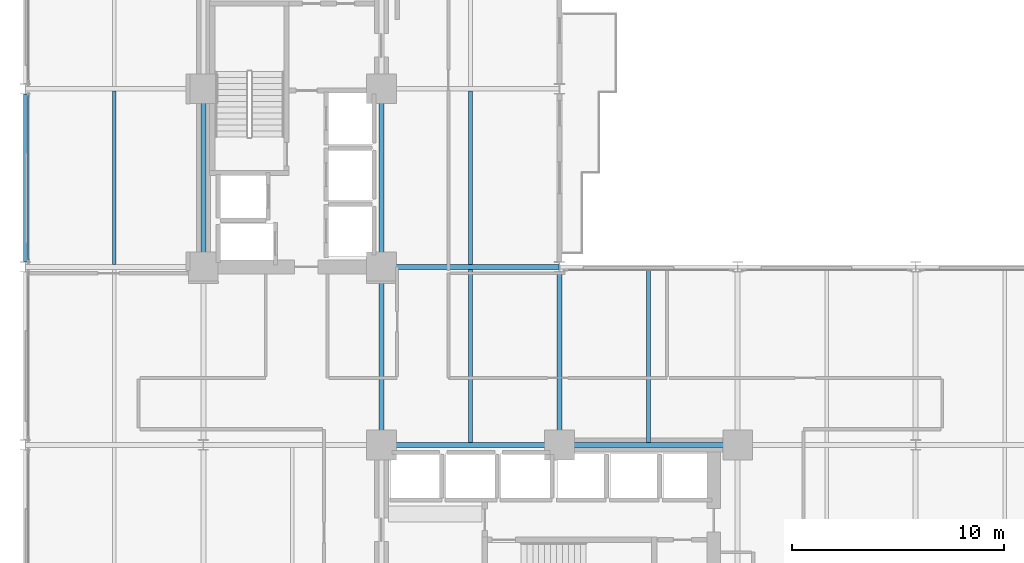
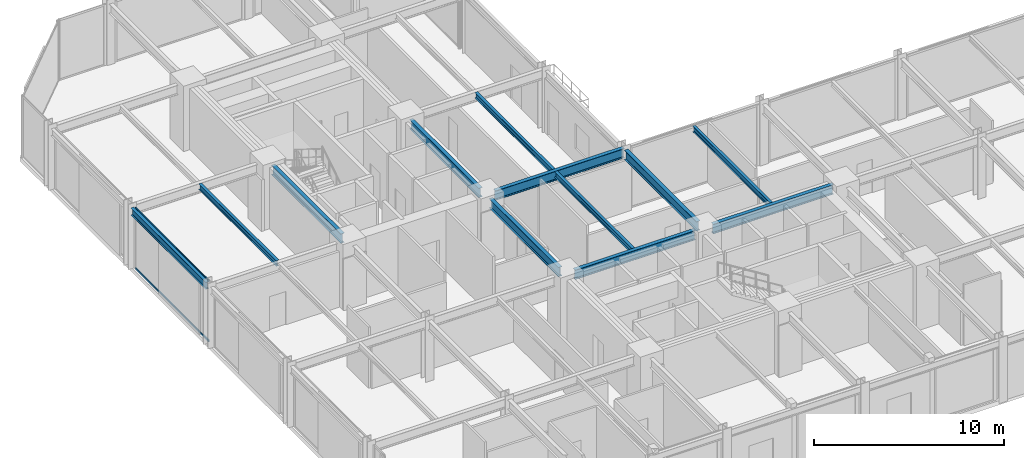
# One storey, part 7 of 24: 12 beams, 2 members, 1 element without a shape of its own.
"""IFC4 building model written with IfcOpenShell, lengths in metres."""

import ifcopenshell
import ifcopenshell.guid

model = None  # the IFC model being written
_history = None  # IfcOwnerHistory: only IFC2X3 demands one
_inside = {}  # id of a spatial element -> (the spatial element, [elements in it])
_under = {}  # id of a project, library or spatial element -> (it, [spatial elements below it])
_declared = {}  # id of a project -> (the project, [libraries it declares])
_typed = {}  # id of a type object -> (the type object, [elements of that type])
_made_of = {}  # id of a material, layer set ... -> (it, [elements and type objects made of it])


def new_model(schema):
    """Start an empty IFC model of exactly this schema.

    Asked for "IFC4X3", IfcOpenShell would pick the latest addendum, in which some entities
    have other attributes; the version numbers below select the first issue.
    IFC2X3 requires an IfcOwnerHistory on every rooted entity: one is made here for all.
    """
    global model, _history
    if schema == "IFC4X3":
        model = ifcopenshell.file(schema_version=(4, 3, 0, 0))
    else:
        model = ifcopenshell.file(schema=schema)
    _inside.clear()
    _under.clear()
    _declared.clear()
    _typed.clear()
    _made_of.clear()
    _history = None
    if model.schema == "IFC2X3":
        org = make("IfcOrganization", Name="unknown")
        user = make(
            "IfcPersonAndOrganization",
            ThePerson=make("IfcPerson", FamilyName="unknown"),
            TheOrganization=org,
        )
        app = make(
            "IfcApplication",
            ApplicationDeveloper=org,
            Version="unknown",
            ApplicationFullName="unknown",
            ApplicationIdentifier="unknown",
        )
        _history = make(
            "IfcOwnerHistory",
            OwningUser=user,
            OwningApplication=app,
            ChangeAction="ADDED",
            CreationDate=0,
        )
    return model


def make(cls, **values):
    """One entity of the class cls with the attributes given. An attribute that is None is left unset."""
    return model.create_entity(
        cls, **{name: value for name, value in values.items() if value is not None}
    )


def rooted(cls, **values):
    """An entity with a GlobalId (a new one), such as an element, a storey or a relation."""
    return make(cls, GlobalId=ifcopenshell.guid.new(), OwnerHistory=_history, **values)


def si_unit(unit_type, name, prefix=None):
    """IfcSIUnit, for example si_unit("LENGTHUNIT", "METRE", prefix="MILLI")."""
    return make("IfcSIUnit", UnitType=unit_type, Prefix=prefix, Name=name)


def assignment(units):
    """IfcUnitAssignment: the units of a project."""
    return None if units is None else make("IfcUnitAssignment", Units=units)


def point(xyz):
    """IfcCartesianPoint."""
    return None if xyz is None else make("IfcCartesianPoint", Coordinates=xyz)


def direction(xyz):
    """IfcDirection."""
    return None if xyz is None else make("IfcDirection", DirectionRatios=xyz)


def frame(location, z_axis=None, x_axis=None):
    """IfcAxis2Placement3D, a coordinate frame: its origin and axes. An axis left out is left unset."""
    return make(
        "IfcAxis2Placement3D",
        Location=point(location),
        Axis=direction(z_axis),
        RefDirection=direction(x_axis),
    )


def frame_2d(location, x_axis=None):
    """IfcAxis2Placement2D, a coordinate frame in the plane: its origin and x axis."""
    return make(
        "IfcAxis2Placement2D", Location=point(location), RefDirection=direction(x_axis)
    )


def origin():
    """The frame at (0, 0, 0) with its axes left unset."""
    return frame((0.0, 0.0, 0.0))


def origin_2d():
    """The frame at (0, 0) in the plane with its x axis left unset."""
    return frame_2d((0.0, 0.0))


def place(relative_to, where):
    """IfcLocalPlacement: puts the frame where relative to a parent placement (None: the world)."""
    return make(
        "IfcLocalPlacement", PlacementRelTo=relative_to, RelativePlacement=where
    )


def context(
    kind, dimensions, precision=None, world=None, true_north=None, identifier=None
):
    """IfcGeometricRepresentationContext, for example the 3D "Model" context."""
    return make(
        "IfcGeometricRepresentationContext",
        ContextIdentifier=identifier,
        ContextType=kind,
        CoordinateSpaceDimension=dimensions,
        Precision=precision,
        WorldCoordinateSystem=world,
        TrueNorth=true_north,
    )


def subcontext(parent, identifier, kind, view, scale=None):
    """IfcGeometricRepresentationSubContext, for example "Body" below "Model"."""
    return make(
        "IfcGeometricRepresentationSubContext",
        ContextIdentifier=identifier,
        ContextType=kind,
        ParentContext=parent,
        TargetScale=scale,
        TargetView=view,
    )


def project(units=None, contexts=None):
    """IfcProject with its units and contexts."""
    return rooted(
        "IfcProject",
        Name="project",
        RepresentationContexts=contexts,
        UnitsInContext=assignment(units),
    )


def spatial(cls, under=None, at=None, **own):
    """A site, building, storey or space (cls), placed at a placement, below another one or the project."""
    s = rooted(cls, ObjectPlacement=at, **own)
    if under is not None:
        _under.setdefault(under.id(), (under, []))[1].append(s)
    return s


def profile(cls, at=None, kind="AREA", **sizes):
    """A parametric profile (cls). Its sizes go by their IFC names, for example OverallWidth=200.0."""
    return make(cls, ProfileType=kind, Position=at, **sizes)


def hollow_rectangle(**sizes):
    """IfcRectangleHollowProfileDef."""
    return profile("IfcRectangleHollowProfileDef", **sizes)


def i_section(**sizes):
    """IfcIShapeProfileDef."""
    return profile("IfcIShapeProfileDef", **sizes)


def extrude(swept, where, along, depth):
    """IfcExtrudedAreaSolid: the profile swept, set in the frame where, extruded along a direction by depth."""
    return make(
        "IfcExtrudedAreaSolid",
        SweptArea=swept,
        Position=where,
        ExtrudedDirection=direction(along),
        Depth=depth,
    )


def shape(context_of_items, identifier, shape_type, items):
    """IfcShapeRepresentation: the items that make up one representation, for example the "Body"."""
    return make(
        "IfcShapeRepresentation",
        ContextOfItems=context_of_items,
        RepresentationIdentifier=identifier,
        RepresentationType=shape_type,
        Items=items,
    )


def material(Name=None, Category=None):
    """IfcMaterial."""
    return make("IfcMaterial", Name=Name, Category=Category)


def layer(
    of_material, thickness, ventilated=None, Name=None, Category=None, Priority=None
):
    """IfcMaterialLayer: one layer of a wall or slab, of a material (None: an air gap)."""
    return make(
        "IfcMaterialLayer",
        Material=of_material,
        LayerThickness=thickness,
        IsVentilated=ventilated,
        Name=Name,
        Category=Category,
        Priority=Priority,
    )


def layer_set(layers, Name=None):
    """IfcMaterialLayerSet."""
    return make("IfcMaterialLayerSet", MaterialLayers=layers, LayerSetName=Name)


def material_profile(
    of_material, cross_section, Name=None, Category=None, Priority=None
):
    """IfcMaterialProfile: a cross section and its material."""
    return make(
        "IfcMaterialProfile",
        Name=Name,
        Material=of_material,
        Profile=cross_section,
        Priority=Priority,
        Category=Category,
    )


def profile_set(profiles, Name=None, composite=None):
    """IfcMaterialProfileSet."""
    return make(
        "IfcMaterialProfileSet",
        Name=Name,
        MaterialProfiles=profiles,
        CompositeProfile=composite,
    )


def made_of(thing, what):
    """Note that an element or type object is made of a material, layer set ...; save() writes the relation."""
    if what is not None:
        _made_of.setdefault(what.id(), (what, []))[1].append(thing)
    return thing


def type_object(cls, material=None, **own):
    """A type object (cls), such as IfcWallType, which elements share."""
    return made_of(rooted(cls, **own), material)


def element(
    cls,
    number,
    at=None,
    inside=None,
    cuts=None,
    type_object=None,
    material=None,
    context=None,
    identifier="Body",
    shape_type=None,
    held_by="IfcProductDefinitionShape",
    body=None,
    shapes=None,
    **own,
):
    """One element of the class cls, such as IfcWall. Its Tag is "e" and its number.

    at: its placement. inside: the storey or other place that contains it. cuts: it is an
    opening in that element (IfcRelVoidsElement). A single representation is given by context,
    identifier, shape_type and body (its items); several are given by shapes. held_by: the class
    of the entity that holds the representations. save() writes the other relations.
    """
    e = rooted(cls, Tag="e%d" % number, ObjectPlacement=at, **own)
    if body is not None:
        shapes = [shape(context, identifier, shape_type, body)]
    if shapes is not None:
        e.Representation = make(held_by, Representations=shapes)
    if inside is not None:
        _inside.setdefault(inside.id(), (inside, []))[1].append(e)
    if cuts is not None:
        rooted(
            "IfcRelVoidsElement", RelatingBuildingElement=cuts, RelatedOpeningElement=e
        )
    if type_object is not None:
        _typed.setdefault(type_object.id(), (type_object, []))[1].append(e)
    return made_of(e, material)


def aggregate(whole, parts):
    """IfcRelAggregates: a whole, such as a stair, and the parts it consists of."""
    return rooted("IfcRelAggregates", RelatingObject=whole, RelatedObjects=parts)


def save(model, path):
    """Write the relations noted so far, then the file.

    IfcRelAggregates (storeys below a building ...), IfcRelContainedInSpatialStructure (elements
    in a storey), IfcRelDefinesByType, IfcRelAssociatesMaterial and IfcRelDeclares: one each for
    every whole, place, type object, material and project.
    """
    for whole, parts in _under.values():
        aggregate(whole, parts)
    for where, things in _inside.values():
        rooted(
            "IfcRelContainedInSpatialStructure",
            RelatedElements=things,
            RelatingStructure=where,
        )
    for kind, things in _typed.values():
        rooted("IfcRelDefinesByType", RelatedObjects=things, RelatingType=kind)
    for what, things in _made_of.values():
        rooted("IfcRelAssociatesMaterial", RelatedObjects=things, RelatingMaterial=what)
    for by, libraries in _declared.values():
        rooted("IfcRelDeclares", RelatingContext=by, RelatedDefinitions=libraries)
    model.write(path)


model = new_model("IFC4")

# Units and contexts
model_context = context("Model", 3, precision=1e-05, world=origin(), true_north=direction((0.0, 1.0)))
body_context = subcontext(model_context, "Body", "Model", "MODEL_VIEW")
ifc_project = project(units=[si_unit("LENGTHUNIT", "METRE"), si_unit("AREAUNIT", "SQUARE_METRE"), si_unit("VOLUMEUNIT", "CUBIC_METRE"), si_unit("PLANEANGLEUNIT", "RADIAN"), si_unit("MASSUNIT", "GRAM", prefix="KILO")], contexts=[model_context])

# Site, building, storey
site_placement = place(None, origin())
site = spatial("IfcSite", under=ifc_project, at=site_placement, CompositionType="ELEMENT")
building_placement = place(site_placement, origin())
building = spatial("IfcBuilding", under=site, at=building_placement, Name="Nerrivon Quay Data Exchange", CompositionType="ELEMENT")
storey_placement = place(building_placement, frame((0.0, 0.0, 37.39990234375)))
storey = spatial("IfcBuildingStorey", under=building, at=storey_placement, Name="L08", CompositionType="ELEMENT", Elevation=37.39990234375)

# Beams
ifc_material_1 = material(Name="Steel Grade 350", Category="steel")
ifc_material_profile_1 = material_profile(ifc_material_1, i_section(OverallWidth=0.22900390625, OverallDepth=0.612060546875, WebThickness=0.011962890625, FlangeThickness=0.01953125, FilletRadius=0.013916015625, at=origin_2d()), Name="610UB125")
ifc_profile_set_1 = profile_set([ifc_material_profile_1], Name="Steel Grade 350")
beam_type_1 = type_object("IfcBeamType", Name="BM-G1-610UB125", PredefinedType="BEAM", material=ifc_profile_set_1)
beam_1_placement = place(storey_placement, frame((17.340087890625, 16.800048828125, 3.619140625), z_axis=(1.0, 0.0, 0.0), x_axis=(0.0, 1.0, 0.0)))
element("IfcBeam", 1, at=beam_1_placement, inside=storey, type_object=beam_type_1, Name="L08 EW Girder Y=16.8 (16.8..25.2)", PredefinedType="BEAM", context=body_context, shape_type="SweptSolid", body=[
    extrude(i_section(OverallWidth=0.22900390625, OverallDepth=0.612060546875, WebThickness=0.011962890625, FlangeThickness=0.01953125, FilletRadius=0.013916015625, at=origin_2d()), origin(), (0.0, 0.0, 1.0), 7.31982421875),
])
beam_2_placement = place(storey_placement, frame((25.739990234375, 16.800048828125, 3.619140625), z_axis=(1.0, 0.0, 0.0), x_axis=(0.0, 1.0, 0.0)))
element("IfcBeam", 2, at=beam_2_placement, inside=storey, type_object=beam_type_1, Name="L08 EW Girder Y=16.8 (25.2..33.6)", PredefinedType="BEAM", context=body_context, shape_type="SweptSolid", body=[
    extrude(i_section(OverallWidth=0.22900390625, OverallDepth=0.612060546875, WebThickness=0.011962890625, FlangeThickness=0.01953125, FilletRadius=0.013916015625, at=origin_2d()), origin(), (0.0, 0.0, 1.0), 7.320068359375),
])
beam_3_placement = place(storey_placement, frame((17.340087890625, 25.199951171875, 3.619140625), z_axis=(1.0, 0.0, 0.0), x_axis=(0.0, 1.0, 0.0)))
element("IfcBeam", 3, at=beam_3_placement, inside=storey, type_object=beam_type_1, Name="L08 EW Girder Y=25.2 (16.8..25.2)", PredefinedType="BEAM", context=body_context, shape_type="SweptSolid", body=[
    extrude(i_section(OverallWidth=0.22900390625, OverallDepth=0.612060546875, WebThickness=0.011962890625, FlangeThickness=0.01953125, FilletRadius=0.013916015625, at=origin_2d()), origin(), (0.0, 0.0, 1.0), 7.845947265625),
])
ifc_material_profile_2 = material_profile(ifc_material_1, i_section(OverallWidth=0.22802734375, OverallDepth=0.60205078125, WebThickness=0.010498046875, FlangeThickness=0.014892578125, FilletRadius=0.013916015625, at=origin_2d()), Name="610UB101")
ifc_profile_set_2 = profile_set([ifc_material_profile_2], Name="Steel Grade 350")
beam_type_2 = type_object("IfcBeamType", Name="BM-G2-610UB101", PredefinedType="BEAM", material=ifc_profile_set_2)
beam_4_placement = place(storey_placement, frame((8.39990234375, 25.739990234375, 3.6240234375), z_axis=(0.0, 1.0, 0.0), x_axis=(-1.0, 0.0, 0.0)))
element("IfcBeam", 4, at=beam_4_placement, inside=storey, type_object=beam_type_2, Name="L08 NS Girder X=8.4 (25.2..33.6)", PredefinedType="BEAM", context=body_context, shape_type="SweptSolid", body=[
    extrude(i_section(OverallWidth=0.22802734375, OverallDepth=0.60205078125, WebThickness=0.010498046875, FlangeThickness=0.014892578125, FilletRadius=0.013916015625, at=origin_2d()), origin(), (0.0, 0.0, 1.0), 7.320068359375),
])
beam_5_placement = place(storey_placement, frame((16.800048828125, 17.340087890625, 3.6240234375), z_axis=(0.0, 1.0, 0.0), x_axis=(-1.0, 0.0, 0.0)))
element("IfcBeam", 5, at=beam_5_placement, inside=storey, type_object=beam_type_2, Name="L08 NS Girder X=16.8 (16.8..25.2)", PredefinedType="BEAM", context=body_context, shape_type="SweptSolid", body=[
    extrude(i_section(OverallWidth=0.22802734375, OverallDepth=0.60205078125, WebThickness=0.010498046875, FlangeThickness=0.014892578125, FilletRadius=0.013916015625, at=origin_2d()), origin(), (0.0, 0.0, 1.0), 7.31982421875),
])
beam_6_placement = place(storey_placement, frame((16.800048828125, 25.739990234375, 3.6240234375), z_axis=(0.0, 1.0, 0.0), x_axis=(-1.0, 0.0, 0.0)))
element("IfcBeam", 6, at=beam_6_placement, inside=storey, type_object=beam_type_2, Name="L08 NS Girder X=16.8 (25.2..33.6)", PredefinedType="BEAM", context=body_context, shape_type="SweptSolid", body=[
    extrude(i_section(OverallWidth=0.22802734375, OverallDepth=0.60205078125, WebThickness=0.010498046875, FlangeThickness=0.014892578125, FilletRadius=0.013916015625, at=origin_2d()), origin(), (0.0, 0.0, 1.0), 7.320068359375),
])
beam_7_placement = place(storey_placement, frame((25.199951171875, 17.340087890625, 3.6240234375), z_axis=(0.0, 1.0, 0.0), x_axis=(-1.0, 0.0, 0.0)))
element("IfcBeam", 7, at=beam_7_placement, inside=storey, type_object=beam_type_2, Name="L08 NS Girder X=25.2 (16.8..25.2)", PredefinedType="BEAM", context=body_context, shape_type="SweptSolid", body=[
    extrude(i_section(OverallWidth=0.22802734375, OverallDepth=0.60205078125, WebThickness=0.010498046875, FlangeThickness=0.014892578125, FilletRadius=0.013916015625, at=origin_2d()), origin(), (0.0, 0.0, 1.0), 7.60986328125),
])
ifc_material_profile_3 = material_profile(ifc_material_1, i_section(OverallWidth=0.172119140625, OverallDepth=0.35888671875, WebThickness=0.008056640625, FlangeThickness=0.012939453125, FilletRadius=0.011474609375, at=origin_2d()), Name="360UB56.7")
ifc_profile_set_3 = profile_set([ifc_material_profile_3], Name="Steel Grade 350")
beam_type_3 = type_object("IfcBeamType", Name="BM-J3-360UB57", PredefinedType="JOIST", material=ifc_profile_set_3)
beam_8_placement = place(storey_placement, frame((4.199951171875, 25.314453125, 3.74560546875), z_axis=(0.0, 1.0, 0.0), x_axis=(-1.0, 0.0, 0.0)))
element("IfcBeam", 8, at=beam_8_placement, inside=storey, type_object=beam_type_3, Name="L08 Secondary Joist X=4.2 (25.2..33.6)", PredefinedType="JOIST", context=body_context, shape_type="SweptSolid", body=[
    extrude(i_section(OverallWidth=0.172119140625, OverallDepth=0.35888671875, WebThickness=0.008056640625, FlangeThickness=0.012939453125, FilletRadius=0.011474609375, at=origin_2d()), origin(), (0.0, 0.0, 1.0), 8.171142578125),
])
beam_9_placement = place(storey_placement, frame((21.0, 16.91455078125, 3.74560546875), z_axis=(0.0, 1.0, 0.0), x_axis=(-1.0, 0.0, 0.0)))
element("IfcBeam", 9, at=beam_9_placement, inside=storey, type_object=beam_type_3, Name="L08 Secondary Joist X=21.0 (16.8..25.2)", PredefinedType="JOIST", context=body_context, shape_type="SweptSolid", body=[
    extrude(i_section(OverallWidth=0.172119140625, OverallDepth=0.35888671875, WebThickness=0.008056640625, FlangeThickness=0.012939453125, FilletRadius=0.011474609375, at=origin_2d()), origin(), (0.0, 0.0, 1.0), 8.1708984375),
])
beam_10_placement = place(storey_placement, frame((21.0, 25.314453125, 3.74560546875), z_axis=(0.0, 1.0, 0.0), x_axis=(-1.0, 0.0, 0.0)))
element("IfcBeam", 10, at=beam_10_placement, inside=storey, type_object=beam_type_3, Name="L08 Secondary Joist X=21.0 (25.2..33.6)", PredefinedType="JOIST", context=body_context, shape_type="SweptSolid", body=[
    extrude(i_section(OverallWidth=0.172119140625, OverallDepth=0.35888671875, WebThickness=0.008056640625, FlangeThickness=0.012939453125, FilletRadius=0.011474609375, at=origin_2d()), origin(), (0.0, 0.0, 1.0), 8.171142578125),
])
beam_11_placement = place(storey_placement, frame((29.39990234375, 16.91455078125, 3.74560546875), z_axis=(0.0, 1.0, 0.0), x_axis=(-1.0, 0.0, 0.0)))
element("IfcBeam", 11, at=beam_11_placement, inside=storey, type_object=beam_type_3, Name="L08 Secondary Joist X=29.4 (16.8..25.2)", PredefinedType="JOIST", context=body_context, shape_type="SweptSolid", body=[
    extrude(i_section(OverallWidth=0.172119140625, OverallDepth=0.35888671875, WebThickness=0.008056640625, FlangeThickness=0.012939453125, FilletRadius=0.011474609375, at=origin_2d()), origin(), (0.0, 0.0, 1.0), 8.1904296875),
])
ifc_material_profile_4 = material_profile(ifc_material_1, i_section(OverallWidth=0.18994140625, OverallDepth=0.4541015625, WebThickness=0.008544921875, FlangeThickness=0.0126953125, FilletRadius=0.011474609375, at=origin_2d()), Name="460UB67.1")
ifc_profile_set_4 = profile_set([ifc_material_profile_4], Name="Steel Grade 350")
beam_type_4 = type_object("IfcBeamType", Name="BM-SP1-460UB67", PredefinedType="SPANDREL", material=ifc_profile_set_4)
beam_12_placement = place(storey_placement, frame((0.0, 25.449951171875, 3.697998046875), z_axis=(0.0, 1.0, 0.0), x_axis=(-1.0, 0.0, 0.0)))
element("IfcBeam", 12, at=beam_12_placement, inside=storey, type_object=beam_type_4, Name="L08 NS Girder X=0.0 (25.2..33.6)", PredefinedType="SPANDREL", context=body_context, shape_type="SweptSolid", body=[
    extrude(i_section(OverallWidth=0.18994140625, OverallDepth=0.4541015625, WebThickness=0.008544921875, FlangeThickness=0.0126953125, FilletRadius=0.011474609375, at=origin_2d()), origin(), (0.0, 0.0, 1.0), 7.900146484375),
])

# Curtain wall, members
ifc_material_2 = material(Name="Anodised aluminium 6063-T6", Category="aluminium")
ifc_layer = layer(ifc_material_2, 0.219970703125)
ifc_layer_set = layer_set([ifc_layer], Name="Anodised aluminium 6063-T6")
curtain_wall_type = type_object("IfcCurtainWallType", Name="CW-SYS-01", PredefinedType="NOTDEFINED", material=ifc_layer_set)
curtain_wall_placement = place(storey_placement, origin())
curtain_wall = element("IfcCurtainWall", 13, at=curtain_wall_placement, inside=storey, type_object=curtain_wall_type, Name="L08 Unitised Curtain Wall 16", PredefinedType="NOTDEFINED")
ifc_material_profile_5 = material_profile(ifc_material_2, hollow_rectangle(XDim=0.06005859375, YDim=0.1201171875, WallThickness=0.003173828125, at=origin_2d()), Name="ALU-TRAN-120x60")
ifc_profile_set_5 = profile_set([ifc_material_profile_5], Name="Anodised aluminium 6063-T6")
member_type = type_object("IfcMemberType", Name="CWT-120x60", PredefinedType="USERDEFINED", material=ifc_profile_set_5)
member_1_placement = place(storey_placement, frame((0.139892578125, 25.52490234375, 0.03271484375), z_axis=(0.0, 1.0, 0.0), x_axis=(-1.0, 0.0, 0.0)))
member_1 = element("IfcMember", 14, at=member_1_placement, type_object=member_type, Name="CW01 transom 1.1", ObjectType="TRANSOM", PredefinedType="USERDEFINED", context=body_context, shape_type="SweptSolid", body=[
    extrude(hollow_rectangle(XDim=0.06005859375, YDim=0.1201171875, WallThickness=0.003173828125, at=origin_2d()), origin(), (0.0, 0.0, 1.0), 7.75),
])
member_2_placement = place(storey_placement, frame((0.139892578125, 25.52490234375, 3.892578125), z_axis=(0.0, 1.0, 0.0), x_axis=(-1.0, 0.0, 0.0)))
member_2 = element("IfcMember", 15, at=member_2_placement, type_object=member_type, Name="CW01 transom 1.2", ObjectType="TRANSOM", PredefinedType="USERDEFINED", context=body_context, shape_type="SweptSolid", body=[
    extrude(hollow_rectangle(XDim=0.06005859375, YDim=0.1201171875, WallThickness=0.003173828125, at=origin_2d()), origin(), (0.0, 0.0, 1.0), 7.75),
])
aggregate(curtain_wall, [member_1, member_2])

save(model, "model.ifc")
